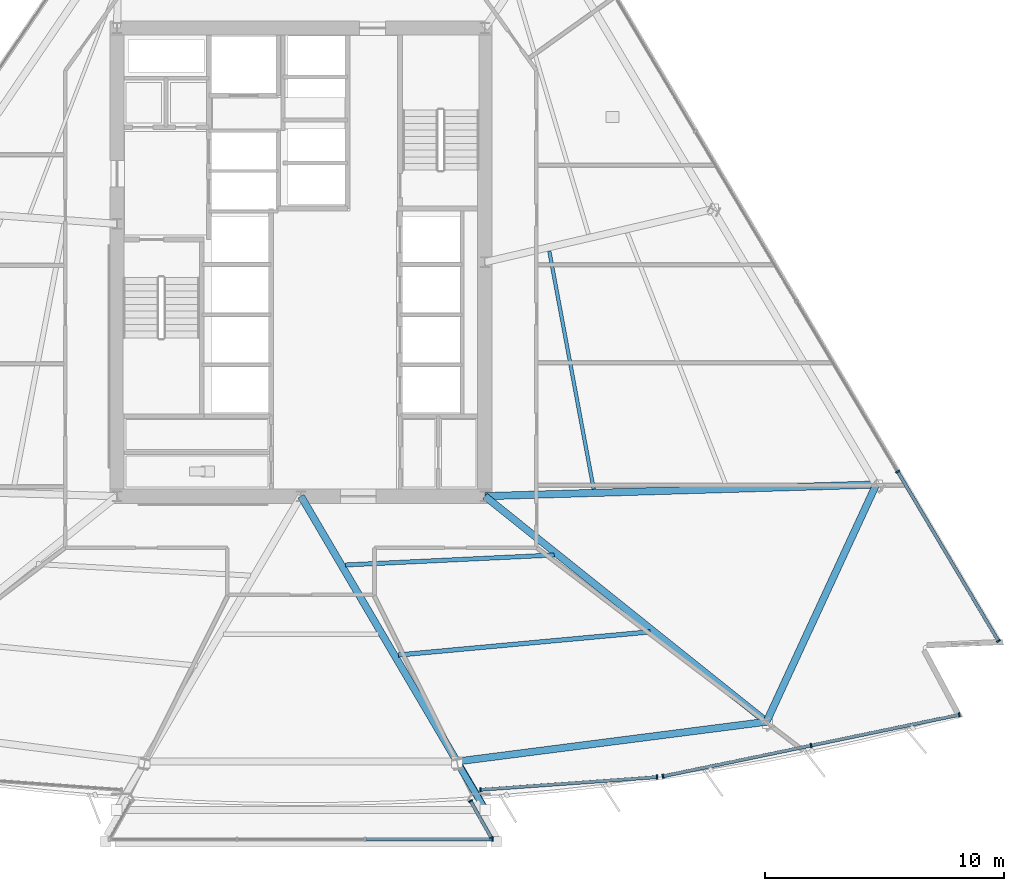
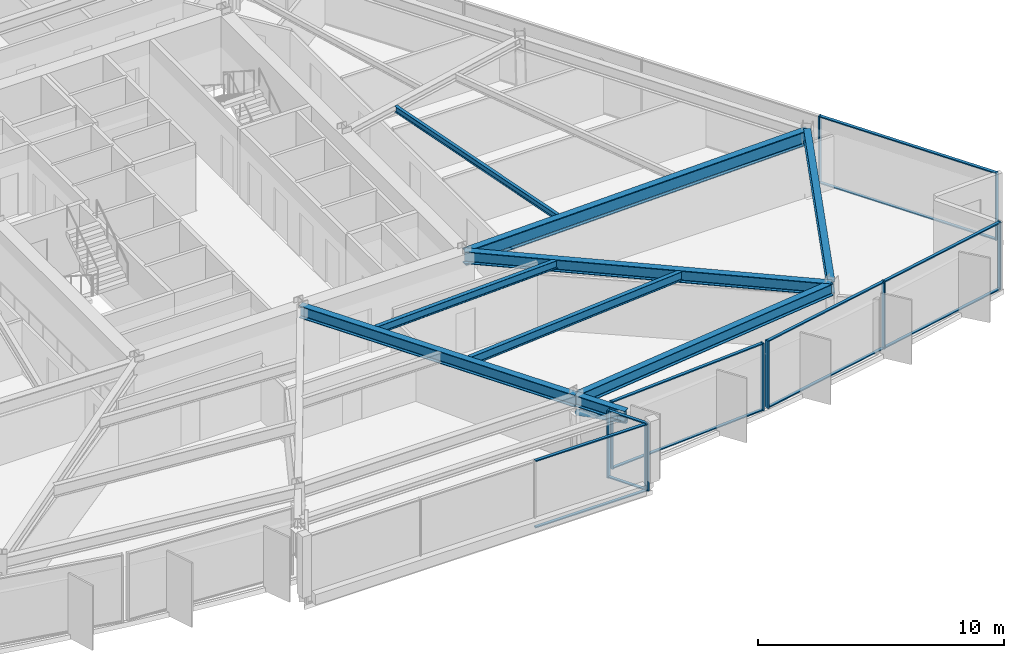
# One storey, part 5 of 16: 23 members, 9 beams, 5 elements without a shape of their own.
"""IFC4 building model written with IfcOpenShell, lengths in metres."""

import ifcopenshell
import ifcopenshell.guid

model = None  # the IFC model being written
_history = None  # IfcOwnerHistory: only IFC2X3 demands one
_inside = {}  # id of a spatial element -> (the spatial element, [elements in it])
_under = {}  # id of a project, library or spatial element -> (it, [spatial elements below it])
_declared = {}  # id of a project -> (the project, [libraries it declares])
_typed = {}  # id of a type object -> (the type object, [elements of that type])
_made_of = {}  # id of a material, layer set ... -> (it, [elements and type objects made of it])


def new_model(schema):
    """Start an empty IFC model of exactly this schema.

    Asked for "IFC4X3", IfcOpenShell would pick the latest addendum, in which some entities
    have other attributes; the version numbers below select the first issue.
    IFC2X3 requires an IfcOwnerHistory on every rooted entity: one is made here for all.
    """
    global model, _history
    if schema == "IFC4X3":
        model = ifcopenshell.file(schema_version=(4, 3, 0, 0))
    else:
        model = ifcopenshell.file(schema=schema)
    _inside.clear()
    _under.clear()
    _declared.clear()
    _typed.clear()
    _made_of.clear()
    _history = None
    if model.schema == "IFC2X3":
        org = make("IfcOrganization", Name="unknown")
        user = make(
            "IfcPersonAndOrganization",
            ThePerson=make("IfcPerson", FamilyName="unknown"),
            TheOrganization=org,
        )
        app = make(
            "IfcApplication",
            ApplicationDeveloper=org,
            Version="unknown",
            ApplicationFullName="unknown",
            ApplicationIdentifier="unknown",
        )
        _history = make(
            "IfcOwnerHistory",
            OwningUser=user,
            OwningApplication=app,
            ChangeAction="ADDED",
            CreationDate=0,
        )
    return model


def make(cls, **values):
    """One entity of the class cls with the attributes given. An attribute that is None is left unset."""
    return model.create_entity(
        cls, **{name: value for name, value in values.items() if value is not None}
    )


def rooted(cls, **values):
    """An entity with a GlobalId (a new one), such as an element, a storey or a relation."""
    return make(cls, GlobalId=ifcopenshell.guid.new(), OwnerHistory=_history, **values)


def si_unit(unit_type, name, prefix=None):
    """IfcSIUnit, for example si_unit("LENGTHUNIT", "METRE", prefix="MILLI")."""
    return make("IfcSIUnit", UnitType=unit_type, Prefix=prefix, Name=name)


def assignment(units):
    """IfcUnitAssignment: the units of a project."""
    return None if units is None else make("IfcUnitAssignment", Units=units)


def point(xyz):
    """IfcCartesianPoint."""
    return None if xyz is None else make("IfcCartesianPoint", Coordinates=xyz)


def direction(xyz):
    """IfcDirection."""
    return None if xyz is None else make("IfcDirection", DirectionRatios=xyz)


def frame(location, z_axis=None, x_axis=None):
    """IfcAxis2Placement3D, a coordinate frame: its origin and axes. An axis left out is left unset."""
    return make(
        "IfcAxis2Placement3D",
        Location=point(location),
        Axis=direction(z_axis),
        RefDirection=direction(x_axis),
    )


def frame_2d(location, x_axis=None):
    """IfcAxis2Placement2D, a coordinate frame in the plane: its origin and x axis."""
    return make(
        "IfcAxis2Placement2D", Location=point(location), RefDirection=direction(x_axis)
    )


def origin():
    """The frame at (0, 0, 0) with its axes left unset."""
    return frame((0.0, 0.0, 0.0))


def origin_2d():
    """The frame at (0, 0) in the plane with its x axis left unset."""
    return frame_2d((0.0, 0.0))


def place(relative_to, where):
    """IfcLocalPlacement: puts the frame where relative to a parent placement (None: the world)."""
    return make(
        "IfcLocalPlacement", PlacementRelTo=relative_to, RelativePlacement=where
    )


def context(
    kind, dimensions, precision=None, world=None, true_north=None, identifier=None
):
    """IfcGeometricRepresentationContext, for example the 3D "Model" context."""
    return make(
        "IfcGeometricRepresentationContext",
        ContextIdentifier=identifier,
        ContextType=kind,
        CoordinateSpaceDimension=dimensions,
        Precision=precision,
        WorldCoordinateSystem=world,
        TrueNorth=true_north,
    )


def subcontext(parent, identifier, kind, view, scale=None):
    """IfcGeometricRepresentationSubContext, for example "Body" below "Model"."""
    return make(
        "IfcGeometricRepresentationSubContext",
        ContextIdentifier=identifier,
        ContextType=kind,
        ParentContext=parent,
        TargetScale=scale,
        TargetView=view,
    )


def project(units=None, contexts=None):
    """IfcProject with its units and contexts."""
    return rooted(
        "IfcProject",
        Name="project",
        RepresentationContexts=contexts,
        UnitsInContext=assignment(units),
    )


def spatial(cls, under=None, at=None, **own):
    """A site, building, storey or space (cls), placed at a placement, below another one or the project."""
    s = rooted(cls, ObjectPlacement=at, **own)
    if under is not None:
        _under.setdefault(under.id(), (under, []))[1].append(s)
    return s


def profile(cls, at=None, kind="AREA", **sizes):
    """A parametric profile (cls). Its sizes go by their IFC names, for example OverallWidth=200.0."""
    return make(cls, ProfileType=kind, Position=at, **sizes)


def rectangle(**sizes):
    """IfcRectangleProfileDef."""
    return profile("IfcRectangleProfileDef", **sizes)


def hollow_circle(**sizes):
    """IfcCircleHollowProfileDef."""
    return profile("IfcCircleHollowProfileDef", **sizes)


def i_section(**sizes):
    """IfcIShapeProfileDef."""
    return profile("IfcIShapeProfileDef", **sizes)


def extrude(swept, where, along, depth):
    """IfcExtrudedAreaSolid: the profile swept, set in the frame where, extruded along a direction by depth."""
    return make(
        "IfcExtrudedAreaSolid",
        SweptArea=swept,
        Position=where,
        ExtrudedDirection=direction(along),
        Depth=depth,
    )


def shape(context_of_items, identifier, shape_type, items):
    """IfcShapeRepresentation: the items that make up one representation, for example the "Body"."""
    return make(
        "IfcShapeRepresentation",
        ContextOfItems=context_of_items,
        RepresentationIdentifier=identifier,
        RepresentationType=shape_type,
        Items=items,
    )


def material(Name=None, Category=None):
    """IfcMaterial."""
    return make("IfcMaterial", Name=Name, Category=Category)


def material_profile(
    of_material, cross_section, Name=None, Category=None, Priority=None
):
    """IfcMaterialProfile: a cross section and its material."""
    return make(
        "IfcMaterialProfile",
        Name=Name,
        Material=of_material,
        Profile=cross_section,
        Priority=Priority,
        Category=Category,
    )


def profile_set(profiles, Name=None, composite=None):
    """IfcMaterialProfileSet."""
    return make(
        "IfcMaterialProfileSet",
        Name=Name,
        MaterialProfiles=profiles,
        CompositeProfile=composite,
    )


def made_of(thing, what):
    """Note that an element or type object is made of a material, layer set ...; save() writes the relation."""
    if what is not None:
        _made_of.setdefault(what.id(), (what, []))[1].append(thing)
    return thing


def type_object(cls, material=None, **own):
    """A type object (cls), such as IfcWallType, which elements share."""
    return made_of(rooted(cls, **own), material)


def element(
    cls,
    number,
    at=None,
    inside=None,
    cuts=None,
    type_object=None,
    material=None,
    context=None,
    identifier="Body",
    shape_type=None,
    held_by="IfcProductDefinitionShape",
    body=None,
    shapes=None,
    **own,
):
    """One element of the class cls, such as IfcWall. Its Tag is "e" and its number.

    at: its placement. inside: the storey or other place that contains it. cuts: it is an
    opening in that element (IfcRelVoidsElement). A single representation is given by context,
    identifier, shape_type and body (its items); several are given by shapes. held_by: the class
    of the entity that holds the representations. save() writes the other relations.
    """
    e = rooted(cls, Tag="e%d" % number, ObjectPlacement=at, **own)
    if body is not None:
        shapes = [shape(context, identifier, shape_type, body)]
    if shapes is not None:
        e.Representation = make(held_by, Representations=shapes)
    if inside is not None:
        _inside.setdefault(inside.id(), (inside, []))[1].append(e)
    if cuts is not None:
        rooted(
            "IfcRelVoidsElement", RelatingBuildingElement=cuts, RelatedOpeningElement=e
        )
    if type_object is not None:
        _typed.setdefault(type_object.id(), (type_object, []))[1].append(e)
    return made_of(e, material)


def aggregate(whole, parts):
    """IfcRelAggregates: a whole, such as a stair, and the parts it consists of."""
    return rooted("IfcRelAggregates", RelatingObject=whole, RelatedObjects=parts)


def save(model, path):
    """Write the relations noted so far, then the file.

    IfcRelAggregates (storeys below a building ...), IfcRelContainedInSpatialStructure (elements
    in a storey), IfcRelDefinesByType, IfcRelAssociatesMaterial and IfcRelDeclares: one each for
    every whole, place, type object, material and project.
    """
    for whole, parts in _under.values():
        aggregate(whole, parts)
    for where, things in _inside.values():
        rooted(
            "IfcRelContainedInSpatialStructure",
            RelatedElements=things,
            RelatingStructure=where,
        )
    for kind, things in _typed.values():
        rooted("IfcRelDefinesByType", RelatedObjects=things, RelatingType=kind)
    for what, things in _made_of.values():
        rooted("IfcRelAssociatesMaterial", RelatedObjects=things, RelatingMaterial=what)
    for by, libraries in _declared.values():
        rooted("IfcRelDeclares", RelatingContext=by, RelatedDefinitions=libraries)
    model.write(path)


model = new_model("IFC4")

# Units and contexts
model_context = context("Model", 3, precision=1e-05, world=origin(), true_north=direction((0.0, 1.0)))
body_context = subcontext(model_context, "Body", "Model", "MODEL_VIEW")
ifc_project = project(units=[si_unit("LENGTHUNIT", "METRE"), si_unit("AREAUNIT", "SQUARE_METRE"), si_unit("VOLUMEUNIT", "CUBIC_METRE"), si_unit("PLANEANGLEUNIT", "RADIAN"), si_unit("MASSUNIT", "GRAM", prefix="KILO")], contexts=[model_context])

# Site, building, storey
site_placement = place(None, origin())
site = spatial("IfcSite", under=ifc_project, at=site_placement, CompositionType="ELEMENT")
building_placement = place(site_placement, origin())
building = spatial("IfcBuilding", under=site, at=building_placement, Name="Savorim Split Tower", CompositionType="ELEMENT")
storey_placement = place(building_placement, frame((0.0, 0.0, 66.0)))
storey = spatial("IfcBuildingStorey", under=building, at=storey_placement, Name="L17", CompositionType="ELEMENT", Elevation=66.0)

# Beams
ifc_material_1 = material(Name="Steel S355", Category="steel")
ifc_material_profile_1 = material_profile(ifc_material_1, i_section(OverallWidth=0.14990234375, OverallDepth=0.300048828125, WebThickness=0.007080078125, FlangeThickness=0.0107421875, FilletRadius=0.014892578125, at=origin_2d()), Name="IPE 300")
ifc_profile_set_1 = profile_set([ifc_material_profile_1], Name="Steel S355")
beam_type_1 = type_object("IfcBeamType", Name="BM-JST-IPE300", PredefinedType="JOIST", material=ifc_profile_set_1)
beam_1_placement = place(storey_placement, frame((12.2587890625, -9.106201171875, 3.199951171875), z_axis=(-0.183446863103, 0.983029627436, 0.0), x_axis=(-0.983029627436, -0.183446863103, 0.0)))
element("IfcBeam", 1, at=beam_1_placement, inside=storey, type_object=beam_type_1, Name="L17 Secondary Floor Joist JS-08", PredefinedType="JOIST", context=body_context, shape_type="SweptSolid", body=[
    extrude(i_section(OverallWidth=0.14990234375, OverallDepth=0.300048828125, WebThickness=0.007080078125, FlangeThickness=0.0107421875, FilletRadius=0.014892578125, at=origin_2d()), origin(), (0.0, 0.0, 1.0), 10.14111328125),
])
ifc_material_profile_2 = material_profile(ifc_material_1, i_section(OverallWidth=0.179931640625, OverallDepth=0.39990234375, WebThickness=0.008544921875, FlangeThickness=0.013427734375, FilletRadius=0.02099609375, at=origin_2d()), Name="IPE 400")
ifc_profile_set_2 = profile_set([ifc_material_profile_2], Name="Steel S355")
beam_type_2 = type_object("IfcBeamType", Name="BM-JST-IPE400", PredefinedType="JOIST", material=ifc_profile_set_2)
beam_2_placement = place(storey_placement, frame((1.8583984375, -12.280517578125, 3.14990234375), z_axis=(0.998864539961, 0.047640642409, 0.0), x_axis=(-0.047640642409, 0.998864539961, 0.0)))
element("IfcBeam", 2, at=beam_2_placement, inside=storey, type_object=beam_type_2, Name="L17 Secondary Floor Joist JS-05", PredefinedType="JOIST", context=body_context, shape_type="SweptSolid", body=[
    extrude(i_section(OverallWidth=0.179931640625, OverallDepth=0.39990234375, WebThickness=0.008544921875, FlangeThickness=0.013427734375, FilletRadius=0.02099609375, at=origin_2d()), origin(), (0.0, 0.0, 1.0), 8.758056640625),
])
ifc_material_profile_3 = material_profile(ifc_material_1, i_section(OverallWidth=0.18994140625, OverallDepth=0.449951171875, WebThickness=0.009521484375, FlangeThickness=0.0146484375, FilletRadius=0.02099609375, at=origin_2d()), Name="IPE 450")
ifc_profile_set_3 = profile_set([ifc_material_profile_3], Name="Steel S355")
beam_type_3 = type_object("IfcBeamType", Name="BM-JST-IPE450", PredefinedType="JOIST", material=ifc_profile_set_3)
beam_3_placement = place(storey_placement, frame((4.079345703125, -16.05029296875, 3.125), z_axis=(0.99580078659, 0.09154667349, 0.0), x_axis=(-0.09154667349, 0.99580078659, 0.0)))
element("IfcBeam", 3, at=beam_3_placement, inside=storey, type_object=beam_type_3, Name="L17 Secondary Floor Joist JS-04", PredefinedType="JOIST", context=body_context, shape_type="SweptSolid", body=[
    extrude(i_section(OverallWidth=0.18994140625, OverallDepth=0.449951171875, WebThickness=0.009521484375, FlangeThickness=0.0146484375, FilletRadius=0.02099609375, at=origin_2d()), origin(), (0.0, 0.0, 1.0), 10.58203125),
])
ifc_material_profile_4 = material_profile(ifc_material_1, i_section(OverallWidth=0.300048828125, OverallDepth=0.550048828125, WebThickness=0.014892578125, FlangeThickness=0.029052734375, FilletRadius=0.027099609375, at=origin_2d()), Name="HEB 550")
ifc_profile_set_4 = profile_set([ifc_material_profile_4], Name="Steel S355")
beam_type_4 = type_object("IfcBeamType", Name="BM-PRI-HEB550", PredefinedType="BEAM", material=ifc_profile_set_4)
beam_4_placement = place(storey_placement, frame((6.533203125, -20.508544921875, 3.074951171875), z_axis=(0.50697472482, -0.861960920456, 0.0), x_axis=(0.861960920456, 0.50697472482, 0.0)))
element("IfcBeam", 4, at=beam_4_placement, inside=storey, type_object=beam_type_4, Name="L17 Cantilevered Lounge Rib 2", PredefinedType="BEAM", context=body_context, shape_type="SweptSolid", body=[
    extrude(i_section(OverallWidth=0.300048828125, OverallDepth=0.550048828125, WebThickness=0.014892578125, FlangeThickness=0.029052734375, FilletRadius=0.027099609375, at=origin_2d()), origin(), (0.0, 0.0, 1.0), 2.35009765625),
])
ifc_material_profile_5 = material_profile(ifc_material_1, i_section(OverallWidth=0.300048828125, OverallDepth=0.60009765625, WebThickness=0.015380859375, FlangeThickness=0.030029296875, FilletRadius=0.027099609375, at=origin_2d()), Name="HEB 600")
ifc_profile_set_5 = profile_set([ifc_material_profile_5], Name="Steel S355")
beam_type_5 = type_object("IfcBeamType", Name="BM-PRI-HEB600", PredefinedType="BEAM", material=ifc_profile_set_5)
beam_5_placement = place(storey_placement, frame((6.533203125, -20.508544921875, 3.050048828125), z_axis=(-0.506945614235, 0.861978041604, 0.0), x_axis=(-0.861978041604, -0.506945614235, 0.0)))
element("IfcBeam", 5, at=beam_5_placement, inside=storey, type_object=beam_type_5, Name="L17 Primary Floor Girder RG-03", PredefinedType="BEAM", context=body_context, shape_type="SweptSolid", body=[
    extrude(i_section(OverallWidth=0.300048828125, OverallDepth=0.60009765625, WebThickness=0.015380859375, FlangeThickness=0.030029296875, FilletRadius=0.027099609375, at=origin_2d()), origin(), (0.0, 0.0, 1.0), 12.887451171875),
])
beam_6_placement = place(storey_placement, frame((19.49365234375, -18.844482421875, 3.050048828125), z_axis=(-0.780558158642, 0.625083163249, 0.0), x_axis=(-0.625083163249, -0.780558158642, 0.0)))
element("IfcBeam", 6, at=beam_6_placement, inside=storey, type_object=beam_type_5, Name="L17 Primary Floor Girder RG-04", PredefinedType="BEAM", context=body_context, shape_type="SweptSolid", body=[
    extrude(i_section(OverallWidth=0.300048828125, OverallDepth=0.60009765625, WebThickness=0.015380859375, FlangeThickness=0.030029296875, FilletRadius=0.027099609375, at=origin_2d()), origin(), (0.0, 0.0, 1.0), 15.109375),
])
ifc_material_2 = material(Name="Steel S460", Category="steel")
ifc_material_profile_6 = material_profile(ifc_material_2, i_section(OverallWidth=0.303955078125, OverallDepth=0.716064453125, WebThickness=0.02099609375, FlangeThickness=0.0400390625, FilletRadius=0.027099609375, at=origin_2d()), Name="HE 700 M")
ifc_profile_set_6 = profile_set([ifc_material_profile_6], Name="Steel S460")
beam_type_6 = type_object("IfcBeamType", Name="BM-PRI-HEM700", PredefinedType="BEAM", material=ifc_profile_set_6)
beam_7_placement = place(storey_placement, frame((24.08642578125, -8.912109375, 2.991943359375), z_axis=(-0.999557226621, -0.029754843469, 0.0), x_axis=(0.029754843469, -0.999557226621, 0.0)))
element("IfcBeam", 7, at=beam_7_placement, inside=storey, type_object=beam_type_6, Name="L17 Primary Floor Girder RG-05", PredefinedType="BEAM", context=body_context, shape_type="SweptSolid", body=[
    extrude(i_section(OverallWidth=0.303955078125, OverallDepth=0.716064453125, WebThickness=0.02099609375, FlangeThickness=0.0400390625, FilletRadius=0.027099609375, at=origin_2d()), origin(), (0.0, 0.0, 1.0), 16.393798828125),
])
ifc_material_profile_7 = material_profile(ifc_material_1, i_section(OverallWidth=0.300048828125, OverallDepth=0.590087890625, WebThickness=0.012939453125, FlangeThickness=0.02490234375, FilletRadius=0.027099609375, at=origin_2d()), Name="HEA 600")
ifc_profile_set_7 = profile_set([ifc_material_profile_7], Name="Steel S355")
beam_type_7 = type_object("IfcBeamType", Name="BM-SPN-HEA600", PredefinedType="SPANDREL", material=ifc_profile_set_7)
beam_8_placement = place(storey_placement, frame((6.533203125, -20.508544921875, 3.054931640625), z_axis=(0.991857839124, 0.127350017546, 0.0), x_axis=(-0.127350017546, 0.991857839124, 0.0)))
element("IfcBeam", 8, at=beam_8_placement, inside=storey, type_object=beam_type_7, Name="L17 Perimeter Spandrel Beam 3", PredefinedType="SPANDREL", context=body_context, shape_type="SweptSolid", body=[
    extrude(i_section(OverallWidth=0.300048828125, OverallDepth=0.590087890625, WebThickness=0.012939453125, FlangeThickness=0.02490234375, FilletRadius=0.027099609375, at=origin_2d()), origin(), (0.0, 0.0, 1.0), 13.06689453125),
])
beam_9_placement = place(storey_placement, frame((19.49365234375, -18.844482421875, 3.054931640625), z_axis=(0.419706056164, 0.907660083081, 0.0), x_axis=(-0.907660083081, 0.419706056164, 0.0)))
element("IfcBeam", 9, at=beam_9_placement, inside=storey, type_object=beam_type_7, Name="L17 Perimeter Spandrel Beam 4", PredefinedType="SPANDREL", context=body_context, shape_type="SweptSolid", body=[
    extrude(i_section(OverallWidth=0.300048828125, OverallDepth=0.590087890625, WebThickness=0.012939453125, FlangeThickness=0.02490234375, FilletRadius=0.027099609375, at=origin_2d()), origin(), (0.0, 0.0, 1.0), 10.94287109375),
])

# Curtain wall, members
ifc_material_3 = material(Name="Dark Ceramic-Fritted Insulated Glass", Category="glass")
curtain_wall_type_1 = type_object("IfcCurtainWallType", Name="CW-TWR-FRIT-A", PredefinedType="NOTDEFINED", material=ifc_material_3)
curtain_wall_1_placement = place(storey_placement, origin())
curtain_wall_1 = element("IfcCurtainWall", 10, at=curtain_wall_1_placement, inside=storey, type_object=curtain_wall_type_1, Name="L17 Curtain Wall CW-L17-SF3A", PredefinedType="NOTDEFINED")
ifc_material_4 = material(Name="Charcoal Anodised Aluminium", Category="aluminium")
ifc_material_profile_8 = material_profile(ifc_material_4, rectangle(XDim=0.179931640625, YDim=0.06494140625, at=origin_2d()), Name="ALU-M 180x65")
ifc_profile_set_8 = profile_set([ifc_material_profile_8], Name="Charcoal Anodised Aluminium")
member_type_1 = type_object("IfcMemberType", Name="CWM-180x65", PredefinedType="MULLION", material=ifc_profile_set_8)
member_1_placement = place(storey_placement, frame((7.515380859375, -21.69091796875, 0.0), z_axis=(0.0, 0.0, 1.0), x_axis=(-0.071546359352, 0.997437275453, 0.0)))
member_1 = element("IfcMember", 11, at=member_1_placement, type_object=member_type_1, Name="CW-02 mullion 1", PredefinedType="MULLION", context=body_context, shape_type="SweptSolid", body=[
    extrude(rectangle(XDim=0.179931640625, YDim=0.06494140625, at=origin_2d()), origin(), (0.0, 0.0, 1.0), 3.35009765625),
])
member_2_placement = place(storey_placement, frame((14.910400390625, -21.160400390625, 0.0), z_axis=(0.0, 0.0, 1.0), x_axis=(-0.071546359352, 0.997437275453, 0.0)))
member_2 = element("IfcMember", 12, at=member_2_placement, type_object=member_type_1, Name="CW-02 mullion 2", PredefinedType="MULLION", context=body_context, shape_type="SweptSolid", body=[
    extrude(rectangle(XDim=0.179931640625, YDim=0.06494140625, at=origin_2d()), origin(), (0.0, 0.0, 1.0), 3.35009765625),
])

curtain_wall_2_placement = place(storey_placement, origin())
curtain_wall_2 = element("IfcCurtainWall", 13, at=curtain_wall_2_placement, inside=storey, type_object=curtain_wall_type_1, Name="L17 Curtain Wall CW-L17-SF4A", PredefinedType="NOTDEFINED")
member_3_placement = place(storey_placement, frame((15.156494140625, -21.126220703125, 0.0), z_axis=(0.0, 0.0, 1.0), x_axis=(-0.203216172809, 0.979133896415, 0.0)))
member_3 = element("IfcMember", 14, at=member_3_placement, type_object=member_type_1, Name="CW-02 mullion 1", PredefinedType="MULLION", context=body_context, shape_type="SweptSolid", body=[
    extrude(rectangle(XDim=0.179931640625, YDim=0.06494140625, at=origin_2d()), origin(), (0.0, 0.0, 1.0), 3.35009765625),
])
member_4_placement = place(storey_placement, frame((21.3603515625, -19.838623046875, 0.0), z_axis=(0.0, 0.0, 1.0), x_axis=(-0.203216172809, 0.979133896415, 0.0)))
member_4 = element("IfcMember", 15, at=member_4_placement, type_object=member_type_1, Name="CW-02 mullion 2", PredefinedType="MULLION", context=body_context, shape_type="SweptSolid", body=[
    extrude(rectangle(XDim=0.179931640625, YDim=0.06494140625, at=origin_2d()), origin(), (0.0, 0.0, 1.0), 3.35009765625),
])
member_5_placement = place(storey_placement, frame((27.564208984375, -18.551025390625, 0.0), z_axis=(0.0, 0.0, 1.0), x_axis=(-0.203216172809, 0.979133896415, 0.0)))
member_5 = element("IfcMember", 16, at=member_5_placement, type_object=member_type_1, Name="CW-02 mullion 3", PredefinedType="MULLION", context=body_context, shape_type="SweptSolid", body=[
    extrude(rectangle(XDim=0.179931640625, YDim=0.06494140625, at=origin_2d()), origin(), (0.0, 0.0, 1.0), 3.35009765625),
])

# Curtain wall, member
curtain_wall_type_2 = type_object("IfcCurtainWallType", Name="CW-BAY-LOUNGE", PredefinedType="NOTDEFINED", material=ifc_material_3)
curtain_wall_3_placement = place(storey_placement, origin())
curtain_wall_3 = element("IfcCurtainWall", 17, at=curtain_wall_3_placement, inside=storey, type_object=curtain_wall_type_2, Name="L17 Curtain Wall CW-L17-BAYF", PredefinedType="NOTDEFINED")
member_6_placement = place(storey_placement, frame((8.025146484375, -23.759765625, 0.0), z_axis=(0.0, 0.0, 1.0), x_axis=(0.0, 1.0, 0.0)))
member_6 = element("IfcMember", 18, at=member_6_placement, type_object=member_type_1, Name="CW-04 mullion 4", PredefinedType="MULLION", context=body_context, shape_type="SweptSolid", body=[
    extrude(rectangle(XDim=0.179931640625, YDim=0.06494140625, at=origin_2d()), origin(), (0.0, 0.0, 1.0), 3.35009765625),
])

# Curtain wall, members
curtain_wall_4_placement = place(storey_placement, origin())
curtain_wall_4 = element("IfcCurtainWall", 19, at=curtain_wall_4_placement, inside=storey, type_object=curtain_wall_type_2, Name="L17 Curtain Wall CW-L17-BAYE", PredefinedType="NOTDEFINED")
member_7_placement = place(storey_placement, frame((7.9736328125, -23.702392578125, 0.0), z_axis=(0.0, 0.0, 1.0), x_axis=(-0.870451171498, -0.492254769442, 0.0)))
member_7 = element("IfcMember", 20, at=member_7_placement, type_object=member_type_1, Name="CW-04 mullion 1", PredefinedType="MULLION", context=body_context, shape_type="SweptSolid", body=[
    extrude(rectangle(XDim=0.179931640625, YDim=0.06494140625, at=origin_2d()), origin(), (0.0, 0.0, 1.0), 3.35009765625),
])
member_8_placement = place(storey_placement, frame((7.102294921875, -22.16162109375, 0.0), z_axis=(0.0, 0.0, 1.0), x_axis=(-0.870451171498, -0.492254769442, 0.0)))
member_8 = element("IfcMember", 21, at=member_8_placement, type_object=member_type_1, Name="CW-04 mullion 2", PredefinedType="MULLION", context=body_context, shape_type="SweptSolid", body=[
    extrude(rectangle(XDim=0.179931640625, YDim=0.06494140625, at=origin_2d()), origin(), (0.0, 0.0, 1.0), 3.35009765625),
])

curtain_wall_5_placement = place(storey_placement, origin())
curtain_wall_5 = element("IfcCurtainWall", 22, at=curtain_wall_5_placement, inside=storey, type_object=curtain_wall_type_1, Name="L17 Curtain Wall CW-L17-EAST", PredefinedType="NOTDEFINED")
member_9_placement = place(storey_placement, frame((29.2041015625, -15.4658203125, 0.0), z_axis=(0.0, 0.0, 1.0), x_axis=(-0.859525822673, -0.511092320583, 0.0)))
member_9 = element("IfcMember", 23, at=member_9_placement, type_object=member_type_1, Name="CW-02 mullion 1", PredefinedType="MULLION", context=body_context, shape_type="SweptSolid", body=[
    extrude(rectangle(XDim=0.179931640625, YDim=0.06494140625, at=origin_2d()), origin(), (0.0, 0.0, 1.0), 3.35009765625),
])
member_10_placement = place(storey_placement, frame((24.9853515625, -8.371337890625, 0.0), z_axis=(0.0, 0.0, 1.0), x_axis=(-0.859525822673, -0.511092320583, 0.0)))
member_10 = element("IfcMember", 24, at=member_10_placement, type_object=member_type_1, Name="CW-02 mullion 2", PredefinedType="MULLION", context=body_context, shape_type="SweptSolid", body=[
    extrude(rectangle(XDim=0.179931640625, YDim=0.06494140625, at=origin_2d()), origin(), (0.0, 0.0, 1.0), 3.35009765625),
])

# Member
ifc_material_profile_9 = material_profile(ifc_material_4, rectangle(XDim=0.139892578125, YDim=0.054931640625, at=origin_2d()), Name="ALU-T 140x55")
ifc_profile_set_9 = profile_set([ifc_material_profile_9], Name="Charcoal Anodised Aluminium")
member_type_2 = type_object("IfcMemberType", Name="CWT-140x55", PredefinedType="USERDEFINED", material=ifc_profile_set_9)
member_11_placement = place(storey_placement, frame((7.5478515625, -21.6884765625, 0.027587890625), z_axis=(0.997438931774, 0.071523264616, 0.0), x_axis=(-0.071523264616, 0.997438931774, 0.0)))
member_11 = element("IfcMember", 25, at=member_11_placement, type_object=member_type_2, Name="CW-02 transom 1.1", ObjectType="TRANSOM", PredefinedType="USERDEFINED", context=body_context, shape_type="SweptSolid", body=[
    extrude(rectangle(XDim=0.139892578125, YDim=0.054931640625, at=origin_2d()), origin(), (0.0, 0.0, 1.0), 7.34912109375),
])

member_12_placement = place(storey_placement, frame((7.5478515625, -21.6884765625, 3.322509765625), z_axis=(0.997438931774, 0.071523264616, 0.0), x_axis=(-0.071523264616, 0.997438931774, 0.0)))
member_12 = element("IfcMember", 26, at=member_12_placement, type_object=member_type_2, Name="CW-02 transom 1.2", ObjectType="TRANSOM", PredefinedType="USERDEFINED", context=body_context, shape_type="SweptSolid", body=[
    extrude(rectangle(XDim=0.139892578125, YDim=0.054931640625, at=origin_2d()), origin(), (0.0, 0.0, 1.0), 7.34912109375),
])

aggregate(curtain_wall_1, [member_1, member_2, member_11, member_12])

member_13_placement = place(storey_placement, frame((15.188232421875, -21.11962890625, 0.027587890625), z_axis=(0.979133983621, 0.203215752634, 0.0), x_axis=(-0.203215752634, 0.979133983621, 0.0)))
member_13 = element("IfcMember", 27, at=member_13_placement, type_object=member_type_2, Name="CW-02 transom 1.1", ObjectType="TRANSOM", PredefinedType="USERDEFINED", context=body_context, shape_type="SweptSolid", body=[
    extrude(rectangle(XDim=0.139892578125, YDim=0.054931640625, at=origin_2d()), origin(), (0.0, 0.0, 1.0), 6.271240234375),
])

member_14_placement = place(storey_placement, frame((15.188232421875, -21.11962890625, 3.322509765625), z_axis=(0.979133983621, 0.203215752634, 0.0), x_axis=(-0.203215752634, 0.979133983621, 0.0)))
member_14 = element("IfcMember", 28, at=member_14_placement, type_object=member_type_2, Name="CW-02 transom 1.2", ObjectType="TRANSOM", PredefinedType="USERDEFINED", context=body_context, shape_type="SweptSolid", body=[
    extrude(rectangle(XDim=0.139892578125, YDim=0.054931640625, at=origin_2d()), origin(), (0.0, 0.0, 1.0), 6.271240234375),
])

member_15_placement = place(storey_placement, frame((21.392333984375, -19.83203125, 0.027587890625), z_axis=(0.979132375842, 0.203223499081, 0.0), x_axis=(-0.203223499081, 0.979132375842, 0.0)))
member_15 = element("IfcMember", 29, at=member_15_placement, type_object=member_type_2, Name="CW-02 transom 2.1", ObjectType="TRANSOM", PredefinedType="USERDEFINED", context=body_context, shape_type="SweptSolid", body=[
    extrude(rectangle(XDim=0.139892578125, YDim=0.054931640625, at=origin_2d()), origin(), (0.0, 0.0, 1.0), 6.27099609375),
])

member_16_placement = place(storey_placement, frame((21.392333984375, -19.83203125, 3.322509765625), z_axis=(0.979132375842, 0.203223499081, 0.0), x_axis=(-0.203223499081, 0.979132375842, 0.0)))
member_16 = element("IfcMember", 30, at=member_16_placement, type_object=member_type_2, Name="CW-02 transom 2.2", ObjectType="TRANSOM", PredefinedType="USERDEFINED", context=body_context, shape_type="SweptSolid", body=[
    extrude(rectangle(XDim=0.139892578125, YDim=0.054931640625, at=origin_2d()), origin(), (0.0, 0.0, 1.0), 6.27099609375),
])

aggregate(curtain_wall_2, [member_3, member_4, member_5, member_13, member_14, member_15, member_16])

member_17_placement = place(storey_placement, frame((2.71826171875, -23.759765625, 0.027587890625), z_axis=(1.0, 0.0, 0.0), x_axis=(0.0, 1.0, 0.0)))
member_17 = element("IfcMember", 31, at=member_17_placement, type_object=member_type_2, Name="CW-04 transom 3.1", ObjectType="TRANSOM", PredefinedType="USERDEFINED", context=body_context, shape_type="SweptSolid", body=[
    extrude(rectangle(XDim=0.139892578125, YDim=0.054931640625, at=origin_2d()), origin(), (0.0, 0.0, 1.0), 5.2744140625),
])

member_18_placement = place(storey_placement, frame((2.71826171875, -23.759765625, 3.322509765625), z_axis=(1.0, 0.0, 0.0), x_axis=(0.0, 1.0, 0.0)))
member_18 = element("IfcMember", 32, at=member_18_placement, type_object=member_type_2, Name="CW-04 transom 3.2", ObjectType="TRANSOM", PredefinedType="USERDEFINED", context=body_context, shape_type="SweptSolid", body=[
    extrude(rectangle(XDim=0.139892578125, YDim=0.054931640625, at=origin_2d()), origin(), (0.0, 0.0, 1.0), 5.2744140625),
])

aggregate(curtain_wall_3, [member_6, member_17, member_18])

member_19_placement = place(storey_placement, frame((7.95751953125, -23.674072265625, 0.027587890625), z_axis=(-0.492170497678, 0.870498823213, 0.0), x_axis=(-0.870498823213, -0.492170497678, 0.0)))
member_19 = element("IfcMember", 33, at=member_19_placement, type_object=member_type_2, Name="CW-04 transom 1.1", ObjectType="TRANSOM", PredefinedType="USERDEFINED", context=body_context, shape_type="SweptSolid", body=[
    extrude(rectangle(XDim=0.139892578125, YDim=0.054931640625, at=origin_2d()), origin(), (0.0, 0.0, 1.0), 1.704833984375),
])

member_20_placement = place(storey_placement, frame((7.95751953125, -23.674072265625, 3.322509765625), z_axis=(-0.492170497678, 0.870498823213, 0.0), x_axis=(-0.870498823213, -0.492170497678, 0.0)))
member_20 = element("IfcMember", 34, at=member_20_placement, type_object=member_type_2, Name="CW-04 transom 1.2", ObjectType="TRANSOM", PredefinedType="USERDEFINED", context=body_context, shape_type="SweptSolid", body=[
    extrude(rectangle(XDim=0.139892578125, YDim=0.054931640625, at=origin_2d()), origin(), (0.0, 0.0, 1.0), 1.704833984375),
])

aggregate(curtain_wall_4, [member_7, member_8, member_19, member_20])

member_21_placement = place(storey_placement, frame((29.1875, -15.43798828125, 0.027587890625), z_axis=(-0.511102775567, 0.859519605831, 0.0), x_axis=(-0.859519605831, -0.511102775567, 0.0)))
member_21 = element("IfcMember", 35, at=member_21_placement, type_object=member_type_2, Name="CW-02 transom 1.1", ObjectType="TRANSOM", PredefinedType="USERDEFINED", context=body_context, shape_type="SweptSolid", body=[
    extrude(rectangle(XDim=0.139892578125, YDim=0.054931640625, at=origin_2d()), origin(), (0.0, 0.0, 1.0), 8.189208984375),
])

member_22_placement = place(storey_placement, frame((29.1875, -15.43798828125, 3.322509765625), z_axis=(-0.511102775567, 0.859519605831, 0.0), x_axis=(-0.859519605831, -0.511102775567, 0.0)))
member_22 = element("IfcMember", 36, at=member_22_placement, type_object=member_type_2, Name="CW-02 transom 1.2", ObjectType="TRANSOM", PredefinedType="USERDEFINED", context=body_context, shape_type="SweptSolid", body=[
    extrude(rectangle(XDim=0.139892578125, YDim=0.054931640625, at=origin_2d()), origin(), (0.0, 0.0, 1.0), 8.189208984375),
])

aggregate(curtain_wall_5, [member_9, member_10, member_21, member_22])

ifc_material_profile_10 = material_profile(ifc_material_1, hollow_circle(Radius=0.136474609375, WallThickness=0.01611328125, at=origin_2d()), Name="CHS 273x16")
ifc_profile_set_10 = profile_set([ifc_material_profile_10], Name="Steel S355")
member_type_3 = type_object("IfcMemberType", Name="MBR-CRN-CHS273", PredefinedType="BRACE", material=ifc_profile_set_10)
member_23_placement = place(storey_placement, frame((6.541259765625, -20.549072265625, 2.449951171875), z_axis=(0.505596269808, -0.848154171614, 0.158135742734), x_axis=(0.858962164143, 0.512039061567, 0.0)))
element("IfcMember", 37, at=member_23_placement, inside=storey, type_object=member_type_3, Name="L17 Cantilevered Bay Support Strut 2", PredefinedType="BRACE", context=body_context, shape_type="SweptSolid", body=[
    extrude(hollow_circle(Radius=0.136474609375, WallThickness=0.01611328125, at=origin_2d()), origin(), (0.0, 0.0, 1.0), 2.340576171875),
])

save(model, "model.ifc")
